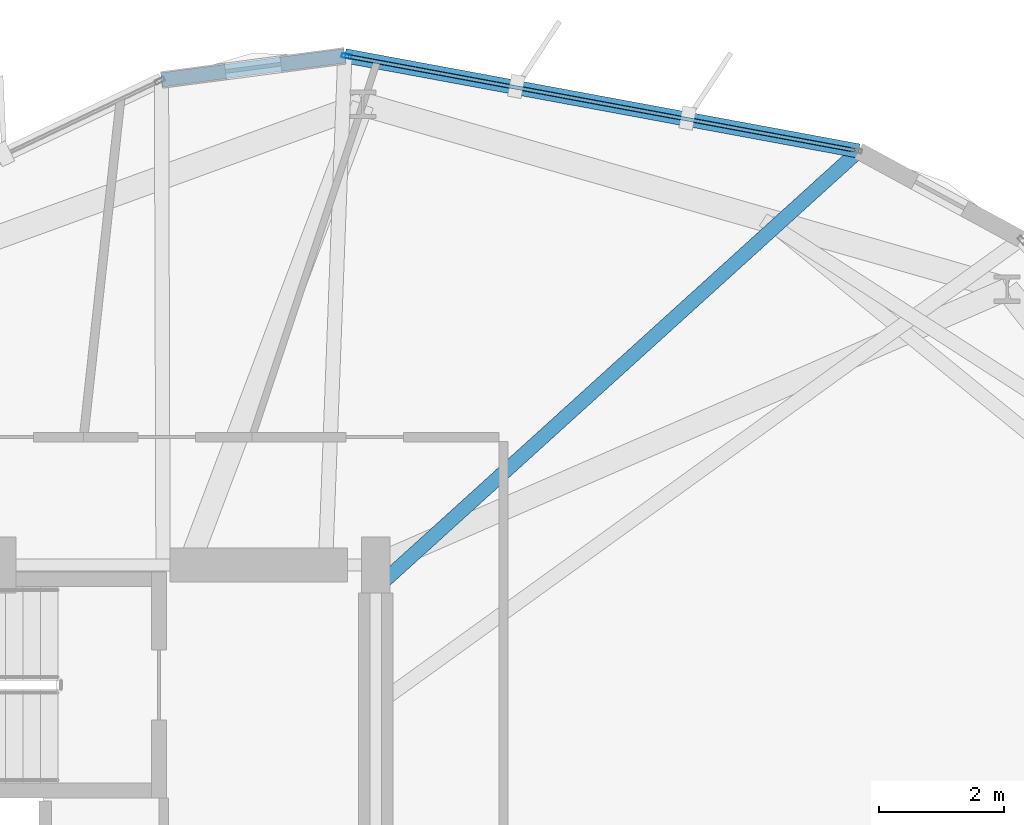
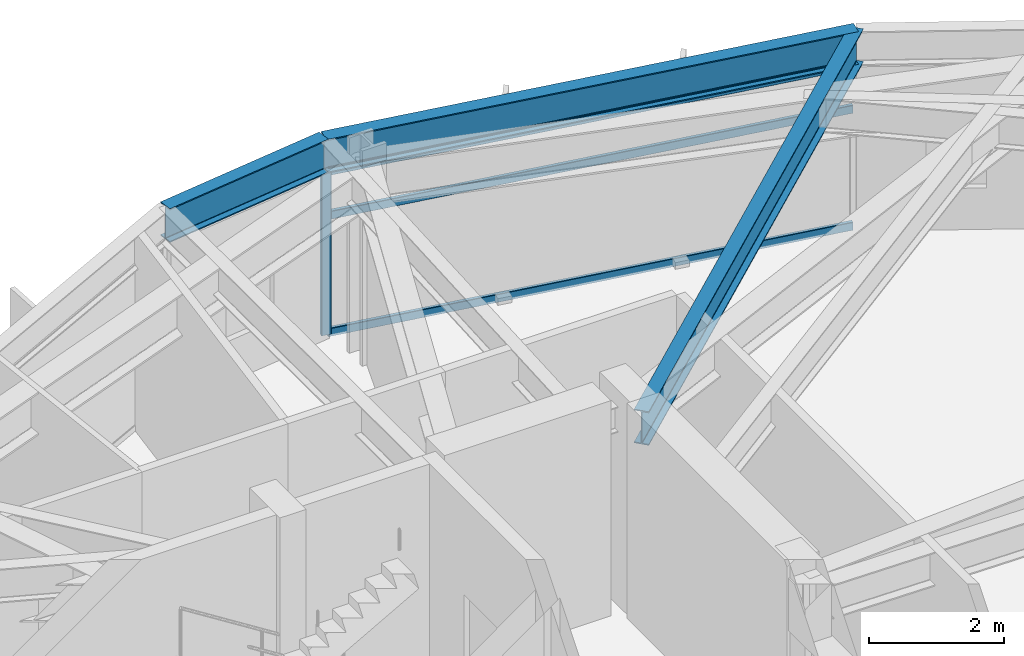
# One storey, part 16 of 25: 4 members, 3 beams, 1 element without a shape of its own.
"""IFC4 building model written with IfcOpenShell, lengths in metres."""

from ifc_helpers import new_model, si_unit, direction, frame, origin, origin_2d, place, context, subcontext, project, spatial, hollow_rectangle, i_section, extrude, material, layer, layer_set, material_profile, profile_set, type_object, element, aggregate, save


model = new_model("IFC4")

# Units and contexts
model_context = context("Model", 3, precision=1e-05, world=origin(), true_north=direction((0.0, 1.0)))
body_context = subcontext(model_context, "Body", "Model", "MODEL_VIEW")
ifc_project = project(units=[si_unit("LENGTHUNIT", "METRE"), si_unit("AREAUNIT", "SQUARE_METRE"), si_unit("VOLUMEUNIT", "CUBIC_METRE"), si_unit("PLANEANGLEUNIT", "RADIAN"), si_unit("MASSUNIT", "GRAM", prefix="KILO")], contexts=[model_context])

# Site, building, storey
site_placement = place(None, origin())
site = spatial("IfcSite", under=ifc_project, at=site_placement, CompositionType="ELEMENT")
building_placement = place(site_placement, origin())
building = spatial("IfcBuilding", under=site, at=building_placement, Name="Soratama Intermodal Tower", CompositionType="ELEMENT")
storey_placement = place(building_placement, frame((0.0, 0.0, 126.39990234375)))
storey = spatial("IfcBuildingStorey", under=building, at=storey_placement, Name="L30", CompositionType="ELEMENT", Elevation=126.39990234375)

# Beams
ifc_material_1 = material(Name="Structural steel ASTM A992 Grade 50", Category="steel")
ifc_material_profile_1 = material_profile(ifc_material_1, i_section(OverallWidth=0.22900390625, OverallDepth=0.612060546875, WebThickness=0.011962890625, FlangeThickness=0.01953125, FilletRadius=0.012939453125, at=origin_2d()), Name="W24X84")
ifc_profile_set_1 = profile_set([ifc_material_profile_1], Name="Structural steel ASTM A992 Grade 50")
beam_type_1 = type_object("IfcBeamType", Name="BM-SPN-W24X84", PredefinedType="SPANDREL", material=ifc_profile_set_1)
beam_1_placement = place(storey_placement, frame((52.346923828125, 41.64111328125, 3.294189453125), z_axis=(-0.98327369971, 0.182134102953, 0.0), x_axis=(-0.182134102953, -0.98327369971, 0.0)))
element("IfcBeam", 1, at=beam_1_placement, inside=storey, type_object=beam_type_1, Name="BS-L30-F02", PredefinedType="SPANDREL", context=body_context, shape_type="SweptSolid", body=[
    extrude(i_section(OverallWidth=0.22900390625, OverallDepth=0.612060546875, WebThickness=0.011962890625, FlangeThickness=0.01953125, FilletRadius=0.012939453125, at=origin_2d()), origin(), (0.0, 0.0, 1.0), 8.383056640625),
])
beam_2_placement = place(storey_placement, frame((44.10400390625, 43.16796875, 3.294189453125), z_axis=(-0.991454295543, -0.130454512571, 0.0), x_axis=(0.130454512571, -0.991454295543, 0.0)))
element("IfcBeam", 2, at=beam_2_placement, inside=storey, type_object=beam_type_1, Name="BS-L30-CRN02", PredefinedType="SPANDREL", context=body_context, shape_type="SweptSolid", body=[
    extrude(i_section(OverallWidth=0.22900390625, OverallDepth=0.612060546875, WebThickness=0.011962890625, FlangeThickness=0.01953125, FilletRadius=0.012939453125, at=origin_2d()), origin(), (0.0, 0.0, 1.0), 2.96630859375),
])
ifc_material_2 = material(Name="Structural steel ASTM A992 Grade 50", Category="steel")
ifc_material_profile_2 = material_profile(ifc_material_2, i_section(OverallWidth=0.22900390625, OverallDepth=0.612060546875, WebThickness=0.011962890625, FlangeThickness=0.01953125, FilletRadius=0.012939453125, at=origin_2d()), Name="W24X84")
ifc_profile_set_2 = profile_set([ifc_material_profile_2], Name="Structural steel ASTM A992 Grade 50")
beam_type_2 = type_object("IfcBeamType", Name="BM-TIE-W24X84", PredefinedType="BEAM", material=ifc_profile_set_2)
beam_3_placement = place(storey_placement, frame((44.6298828125, 34.64794921875, 3.294189453125), z_axis=(0.741006271086, 0.671498105888, 0.0), x_axis=(-0.671498105888, 0.741006271086, 0.0)))
element("IfcBeam", 3, at=beam_3_placement, inside=storey, type_object=beam_type_2, Name="BM-L30-TIE0-02", PredefinedType="BEAM", context=body_context, shape_type="SweptSolid", body=[
    extrude(i_section(OverallWidth=0.22900390625, OverallDepth=0.612060546875, WebThickness=0.011962890625, FlangeThickness=0.01953125, FilletRadius=0.012939453125, at=origin_2d()), origin(), (0.0, 0.0, 1.0), 10.414306640625),
])

# Curtain wall, members
ifc_material_3 = material(Name="Double-glazed aluminium curtain wall", Category="aluminium")
ifc_layer = layer(ifc_material_3, 0.159912109375)
ifc_layer_set = layer_set([ifc_layer], Name="Double-glazed aluminium curtain wall")
curtain_wall_type = type_object("IfcCurtainWallType", Name="CW-SYS-3", PredefinedType="NOTDEFINED", material=ifc_layer_set)
curtain_wall_placement = place(storey_placement, origin())
curtain_wall = element("IfcCurtainWall", 4, at=curtain_wall_placement, inside=storey, type_object=curtain_wall_type, Name="L30 Faceted Curtain Wall F02", PredefinedType="NOTDEFINED")
ifc_material_4 = material(Name="Anodised aluminium AA 6063-T6", Category="aluminium")
ifc_material_profile_3 = material_profile(ifc_material_4, hollow_rectangle(XDim=0.070068359375, YDim=0.159912109375, WallThickness=0.0048828125, InnerFilletRadius=0.0048828125, OuterFilletRadius=0.010009765625, at=origin_2d()), Name="CWM160X70X5")
ifc_profile_set_3 = profile_set([ifc_material_profile_3], Name="Anodised aluminium AA 6063-T6")
member_type_1 = type_object("IfcMemberType", Name="MT-CWM-3", PredefinedType="MULLION", material=ifc_profile_set_3)
member_1_placement = place(storey_placement, frame((44.1337890625, 43.162841796875, 0.0), z_axis=(0.0, 0.0, 1.0), x_axis=(-0.182239183314, -0.98325422962, 0.0)))
member_1 = element("IfcMember", 5, at=member_1_placement, type_object=member_type_1, Name="CW-3 mullion 2", PredefinedType="MULLION", context=body_context, shape_type="SweptSolid", body=[
    extrude(hollow_rectangle(XDim=0.070068359375, YDim=0.159912109375, WallThickness=0.0048828125, InnerFilletRadius=0.0048828125, OuterFilletRadius=0.010009765625, at=origin_2d()), origin(), (0.0, 0.0, 1.0), 2.97900390625),
])
ifc_material_5 = material(Name="Anodised aluminium AA 6063-T6", Category="aluminium")
ifc_material_profile_4 = material_profile(ifc_material_5, hollow_rectangle(XDim=0.06494140625, YDim=0.14990234375, WallThickness=0.0048828125, InnerFilletRadius=0.0048828125, OuterFilletRadius=0.010009765625, at=origin_2d()), Name="CWT150X65X5")
ifc_profile_set_4 = profile_set([ifc_material_profile_4], Name="Anodised aluminium AA 6063-T6")
member_type_2 = type_object("IfcMemberType", Name="TT-CWT-1", PredefinedType="USERDEFINED", material=ifc_profile_set_4)
member_2_placement = place(storey_placement, frame((52.288330078125, 41.651611328125, 0.030029296875), z_axis=(-0.983256330272, 0.182227849077, 0.0), x_axis=(-0.182227849077, -0.983256330272, 0.0)))
member_2 = element("IfcMember", 6, at=member_2_placement, type_object=member_type_2, Name="CW-3 transom 1.1", ObjectType="TRANSOM", PredefinedType="USERDEFINED", context=body_context, shape_type="SweptSolid", body=[
    extrude(hollow_rectangle(XDim=0.06494140625, YDim=0.14990234375, WallThickness=0.0048828125, InnerFilletRadius=0.0048828125, OuterFilletRadius=0.010009765625, at=origin_2d()), origin(), (0.0, 0.0, 1.0), 8.263671875),
])
member_3_placement = place(storey_placement, frame((52.288330078125, 41.651611328125, 2.150146484375), z_axis=(-0.983256330272, 0.182227849077, 0.0), x_axis=(-0.182227849077, -0.983256330272, 0.0)))
member_3 = element("IfcMember", 7, at=member_3_placement, type_object=member_type_2, Name="CW-3 transom 1.2", ObjectType="TRANSOM", PredefinedType="USERDEFINED", context=body_context, shape_type="SweptSolid", body=[
    extrude(hollow_rectangle(XDim=0.06494140625, YDim=0.14990234375, WallThickness=0.0048828125, InnerFilletRadius=0.0048828125, OuterFilletRadius=0.010009765625, at=origin_2d()), origin(), (0.0, 0.0, 1.0), 8.263671875),
])
member_4_placement = place(storey_placement, frame((52.288330078125, 41.651611328125, 2.94921875), z_axis=(-0.983256330272, 0.182227849077, 0.0), x_axis=(-0.182227849077, -0.983256330272, 0.0)))
member_4 = element("IfcMember", 8, at=member_4_placement, type_object=member_type_2, Name="CW-3 transom 1.3", ObjectType="TRANSOM", PredefinedType="USERDEFINED", context=body_context, shape_type="SweptSolid", body=[
    extrude(hollow_rectangle(XDim=0.06494140625, YDim=0.14990234375, WallThickness=0.0048828125, InnerFilletRadius=0.0048828125, OuterFilletRadius=0.010009765625, at=origin_2d()), origin(), (0.0, 0.0, 1.0), 8.263671875),
])
aggregate(curtain_wall, [member_1, member_2, member_3, member_4])

save(model, "model.ifc")
